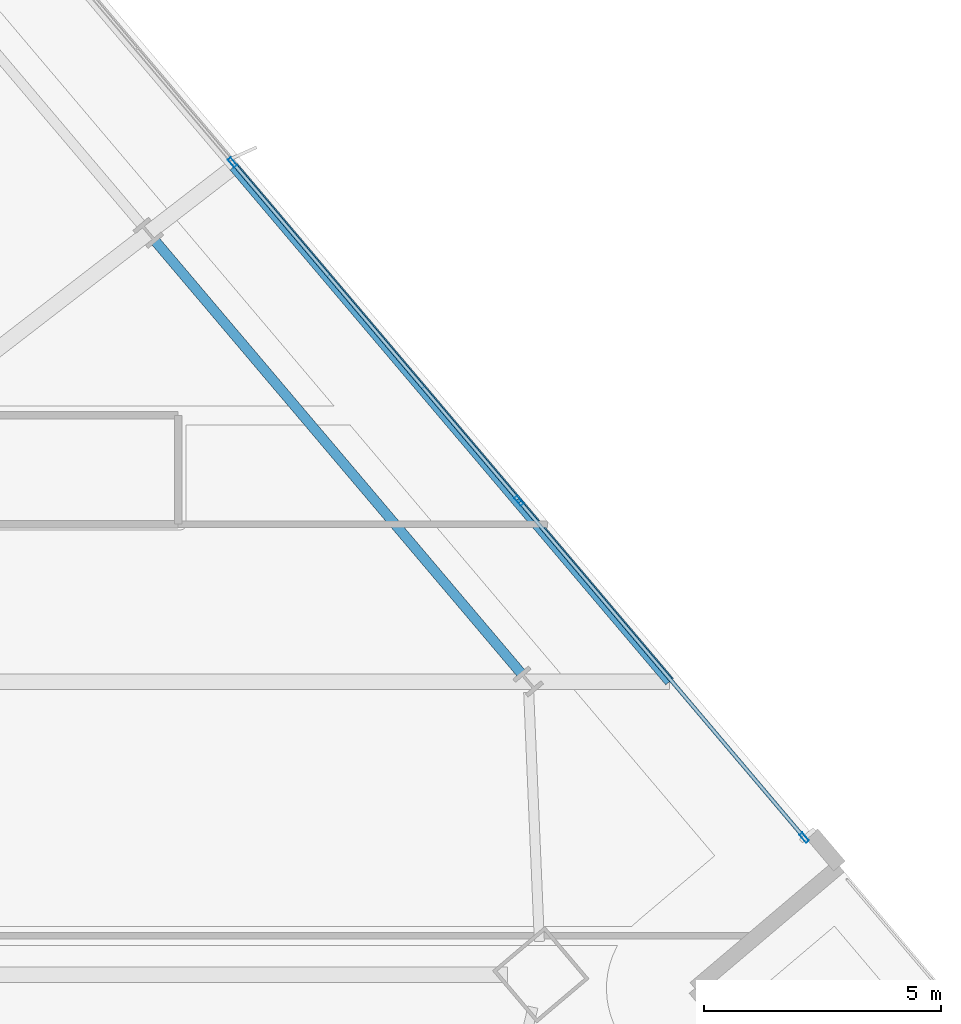
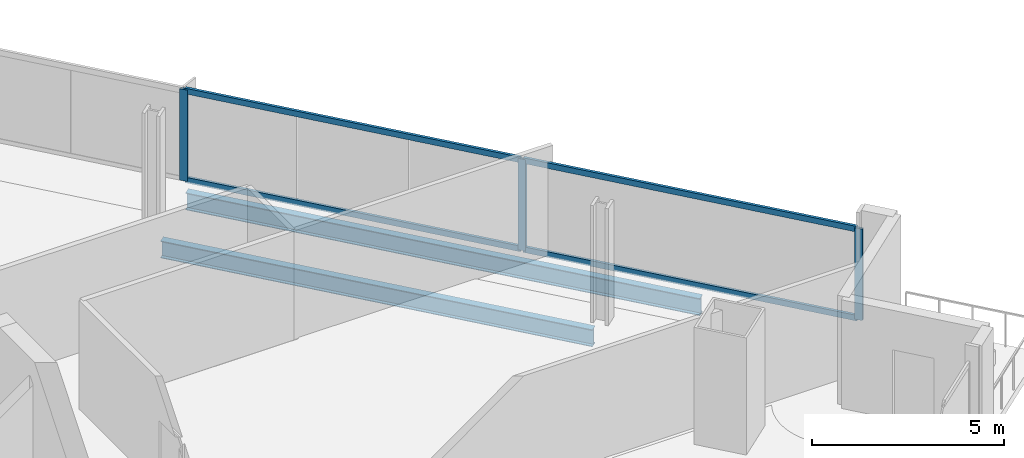
# One storey, part 22 of 34: 7 members, 2 beams, 1 element without a shape of its own.
"""IFC4 building model written with IfcOpenShell, lengths in metres."""

from ifc_helpers import new_model, si_unit, direction, frame, origin, origin_2d, place, context, subcontext, project, spatial, hollow_rectangle, i_section, extrude, material, material_profile, profile_set, type_object, element, aggregate, save


model = new_model("IFC4")

# Units and contexts
model_context = context("Model", 3, precision=1e-05, world=origin(), true_north=direction((0.0, 1.0)))
body_context = subcontext(model_context, "Body", "Model", "MODEL_VIEW")
ifc_project = project(units=[si_unit("LENGTHUNIT", "METRE"), si_unit("AREAUNIT", "SQUARE_METRE"), si_unit("VOLUMEUNIT", "CUBIC_METRE"), si_unit("PLANEANGLEUNIT", "RADIAN"), si_unit("MASSUNIT", "GRAM", prefix="KILO")], contexts=[model_context])

# Site, building, storey
site_placement = place(None, origin())
site = spatial("IfcSite", under=ifc_project, at=site_placement, CompositionType="ELEMENT")
building_placement = place(site_placement, origin())
building = spatial("IfcBuilding", under=site, at=building_placement, Name="Haldenkirk Collegiate Tower", CompositionType="ELEMENT")
storey_placement = place(building_placement, frame((0.0, 0.0, 163.199951171875)))
storey = spatial("IfcBuildingStorey", under=building, at=storey_placement, Name="L40", CompositionType="ELEMENT", Elevation=163.199951171875)

# Beams
ifc_material_1 = material(Name="Steel ASTM A992 Grade 50", Category="steel")
ifc_material_profile_1 = material_profile(ifc_material_1, i_section(OverallWidth=0.2119140625, OverallDepth=0.5439453125, WebThickness=0.01318359375, FlangeThickness=0.021240234375, at=origin_2d()), Name="W21X83")
ifc_profile_set_1 = profile_set([ifc_material_profile_1], Name="Steel ASTM A992 Grade 50")
beam_type = type_object("IfcBeamType", Name="BM-SPANDREL-W21X83", PredefinedType="SPANDREL", material=ifc_profile_set_1)
beam_1_placement = place(storey_placement, frame((61.051513671875, 30.998779296875, -0.56201171875), z_axis=(-0.646116898468, 0.763238464383, 0.0), x_axis=(-0.763238464383, -0.646116898468, 0.0)))
element("IfcBeam", 1, at=beam_1_placement, inside=storey, type_object=beam_type, Name="L40 perimeter spandrel beam 06", PredefinedType="SPANDREL", context=body_context, shape_type="SweptSolid", body=[
    extrude(i_section(OverallWidth=0.2119140625, OverallDepth=0.5439453125, WebThickness=0.01318359375, FlangeThickness=0.021240234375, at=origin_2d()), origin(), (0.0, 0.0, 1.0), 11.967041015625),
])
beam_2_placement = place(storey_placement, frame((64.186767578125, 30.82421875, -0.56201171875), z_axis=(-0.646128053748, 0.763229020779, 0.0), x_axis=(-0.763229020779, -0.646128053748, 0.0)))
element("IfcBeam", 2, at=beam_2_placement, inside=storey, type_object=beam_type, Name="L40 outer facade edge beam 2A", PredefinedType="SPANDREL", context=body_context, shape_type="SweptSolid", body=[
    extrude(i_section(OverallWidth=0.2119140625, OverallDepth=0.5439453125, WebThickness=0.01318359375, FlangeThickness=0.021240234375, at=origin_2d()), origin(), (0.0, 0.0, 1.0), 14.252197265625),
])

# Curtain wall, members
ifc_material_2 = material(Name="Anodised architectural bronze aluminium", Category="aluminium")
curtain_wall_type = type_object("IfcCurtainWallType", Name="CW-SYS1-CONVEX-LOW", PredefinedType="USERDEFINED", material=ifc_material_2)
curtain_wall_placement = place(storey_placement, origin())
curtain_wall = element("IfcCurtainWall", 3, at=curtain_wall_placement, inside=storey, type_object=curtain_wall_type, Name="L40 Lower tower convex bronze-framed unitised curtain wall", ObjectType="UNITISED CURTAIN WALL", PredefinedType="USERDEFINED")
ifc_material_profile_2 = material_profile(ifc_material_2, hollow_rectangle(XDim=0.080078125, YDim=0.219970703125, WallThickness=0.0048828125, at=origin_2d()), Name="CW-MUL-1A")
ifc_profile_set_2 = profile_set([ifc_material_profile_2], Name="Anodised architectural bronze aluminium")
member_type_1 = type_object("IfcMemberType", Name="CW-MUL-1A", PredefinedType="MULLION", material=ifc_profile_set_2)
member_1_placement = place(storey_placement, frame((54.949951171875, 41.796875, 0.0), z_axis=(0.0, 0.0, 1.0), x_axis=(0.763233122945, 0.646123208095, 0.0)))
member_1 = element("IfcMember", 4, at=member_1_placement, type_object=member_type_1, Name="CW-1A mullion 3", PredefinedType="MULLION", context=body_context, shape_type="SweptSolid", body=[
    extrude(hollow_rectangle(XDim=0.080078125, YDim=0.219970703125, WallThickness=0.0048828125, at=origin_2d()), origin(), (0.0, 0.0, 1.0), 2.9111328125),
])
member_2_placement = place(storey_placement, frame((61.00341796875, 34.646240234375, 0.0), z_axis=(0.0, 0.0, 1.0), x_axis=(0.763233122945, 0.646123208095, 0.0)))
member_2 = element("IfcMember", 5, at=member_2_placement, type_object=member_type_1, Name="CW-1A mullion 4", PredefinedType="MULLION", context=body_context, shape_type="SweptSolid", body=[
    extrude(hollow_rectangle(XDim=0.080078125, YDim=0.219970703125, WallThickness=0.0048828125, at=origin_2d()), origin(), (0.0, 0.0, 1.0), 2.9111328125),
])
member_3_placement = place(storey_placement, frame((67.031005859375, 27.526123046875, 0.0), z_axis=(0.0, 0.0, 1.0), x_axis=(0.763233122945, 0.646123208095, 0.0)))
member_3 = element("IfcMember", 6, at=member_3_placement, type_object=member_type_1, Name="CW-1A mullion 5", PredefinedType="MULLION", context=body_context, shape_type="SweptSolid", body=[
    extrude(hollow_rectangle(XDim=0.080078125, YDim=0.219970703125, WallThickness=0.0048828125, at=origin_2d()), origin(), (0.0, 0.0, 1.0), 2.9111328125),
])
ifc_material_profile_3 = material_profile(ifc_material_2, hollow_rectangle(XDim=0.080078125, YDim=0.179931640625, WallThickness=0.0048828125, at=origin_2d()), Name="CW-TRN-1A")
ifc_profile_set_3 = profile_set([ifc_material_profile_3], Name="Anodised architectural bronze aluminium")
member_type_2 = type_object("IfcMemberType", Name="CW-TRN-1A", PredefinedType="USERDEFINED", material=ifc_profile_set_3)
member_4_placement = place(storey_placement, frame((54.975830078125, 41.766357421875, 0.0400390625), z_axis=(0.646118955758, -0.763236722787, 0.0), x_axis=(0.763236722787, 0.646118955758, 0.0)))
member_4 = element("IfcMember", 7, at=member_4_placement, type_object=member_type_2, Name="CW-1A transom 3.1", ObjectType="TRANSOM", PredefinedType="USERDEFINED", context=body_context, shape_type="SweptSolid", body=[
    extrude(hollow_rectangle(XDim=0.080078125, YDim=0.179931640625, WallThickness=0.0048828125, at=origin_2d()), origin(), (0.0, 0.0, 1.0), 9.288818359375),
])
member_5_placement = place(storey_placement, frame((54.975830078125, 41.766357421875, 2.87109375), z_axis=(0.646118955758, -0.763236722787, 0.0), x_axis=(0.763236722787, 0.646118955758, 0.0)))
member_5 = element("IfcMember", 8, at=member_5_placement, type_object=member_type_2, Name="CW-1A transom 3.2", ObjectType="TRANSOM", PredefinedType="USERDEFINED", context=body_context, shape_type="SweptSolid", body=[
    extrude(hollow_rectangle(XDim=0.080078125, YDim=0.179931640625, WallThickness=0.0048828125, at=origin_2d()), origin(), (0.0, 0.0, 1.0), 9.288818359375),
])
member_6_placement = place(storey_placement, frame((61.029296875, 34.61572265625, 0.0400390625), z_axis=(0.646116170964, -0.763239080249, 0.0), x_axis=(0.763239080249, 0.646116170964, 0.0)))
member_6 = element("IfcMember", 9, at=member_6_placement, type_object=member_type_2, Name="CW-1A transom 4.1", ObjectType="TRANSOM", PredefinedType="USERDEFINED", context=body_context, shape_type="SweptSolid", body=[
    extrude(hollow_rectangle(XDim=0.080078125, YDim=0.179931640625, WallThickness=0.0048828125, at=origin_2d()), origin(), (0.0, 0.0, 1.0), 9.248779296875),
])
member_7_placement = place(storey_placement, frame((61.029296875, 34.61572265625, 2.87109375), z_axis=(0.646116170964, -0.763239080249, 0.0), x_axis=(0.763239080249, 0.646116170964, 0.0)))
member_7 = element("IfcMember", 10, at=member_7_placement, type_object=member_type_2, Name="CW-1A transom 4.2", ObjectType="TRANSOM", PredefinedType="USERDEFINED", context=body_context, shape_type="SweptSolid", body=[
    extrude(hollow_rectangle(XDim=0.080078125, YDim=0.179931640625, WallThickness=0.0048828125, at=origin_2d()), origin(), (0.0, 0.0, 1.0), 9.248779296875),
])
aggregate(curtain_wall, [member_1, member_2, member_3, member_4, member_5, member_6, member_7])

save(model, "model.ifc")
